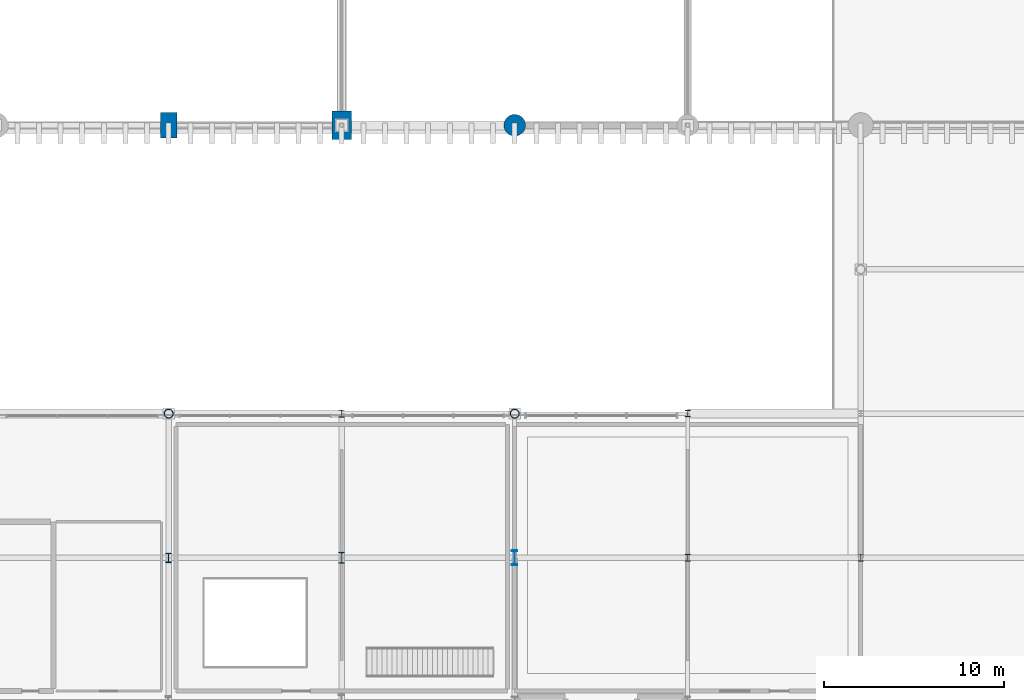
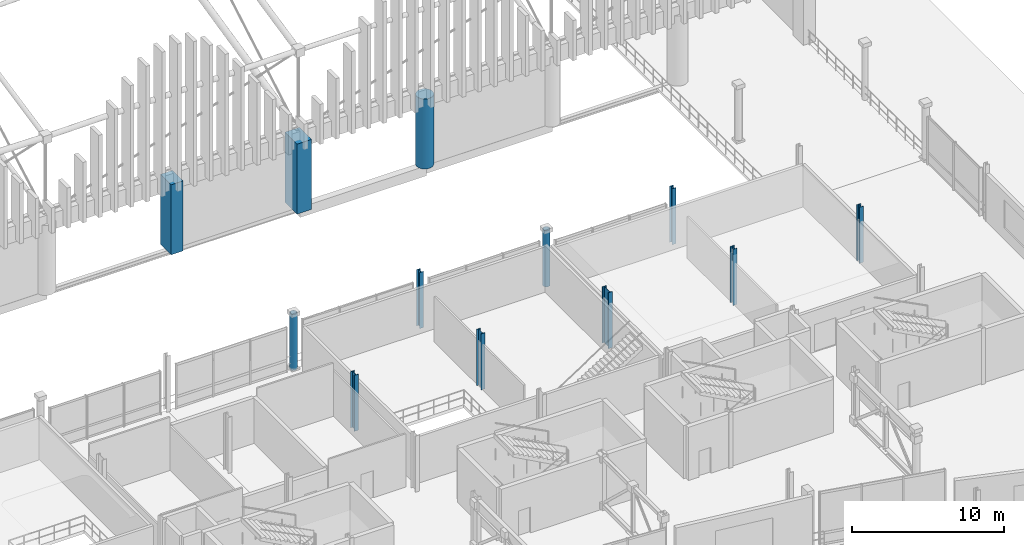
# One storey, part 7 of 193: 12 columns.
"""IFC4 building model written with IfcOpenShell, lengths in metres."""

from ifc_helpers import new_model, si_unit, direction, frame, origin, origin_2d, place, context, subcontext, project, spatial, rectangle, circle, hollow_circle, i_section, extrude, material, material_profile, profile_set, type_object, element, save


model = new_model("IFC4")

# Units and contexts
model_context = context("Model", 3, precision=1e-05, world=origin(), true_north=direction((0.0, 1.0)))
body_context = subcontext(model_context, "Body", "Model", "MODEL_VIEW")
ifc_project = project(units=[si_unit("LENGTHUNIT", "METRE"), si_unit("AREAUNIT", "SQUARE_METRE"), si_unit("VOLUMEUNIT", "CUBIC_METRE"), si_unit("PLANEANGLEUNIT", "RADIAN"), si_unit("MASSUNIT", "GRAM", prefix="KILO")], contexts=[model_context])

# Site, building, storey
site_placement = place(None, origin())
site = spatial("IfcSite", under=ifc_project, at=site_placement, CompositionType="ELEMENT")
building_placement = place(site_placement, origin())
building = spatial("IfcBuilding", under=site, at=building_placement, Name="Danafjord Basin Convention Centre", CompositionType="ELEMENT")
storey_placement = place(building_placement, frame((0.0, 0.0, 11.39990234375)))
storey = spatial("IfcBuildingStorey", under=building, at=storey_placement, Name="L02", CompositionType="ELEMENT", Elevation=11.39990234375)

# Columns
ifc_material_1 = material(Name="Steel S355", Category="steel")
ifc_material_profile_1 = material_profile(ifc_material_1, hollow_circle(Radius=0.25390625, WallThickness=0.02490234375, at=origin_2d()), Name="CHS 508.0x25.0")
ifc_profile_set_1 = profile_set([ifc_material_profile_1], Name="Steel S355")
column_type_1 = type_object("IfcColumnType", Name="COL-C-CHS508", PredefinedType="COLUMN", material=ifc_profile_set_1)
for number, where, z_axis, x_axis, name in (
    (1, (67.199951171875, 40.0, 0.0), (0.0, 0.0, 1.0), (1.0, 0.0, 0.0), "L02 column C-CHS508 at (67.2, 40.0)"),
    (2, (86.39990234375, 40.0, 0.0), (0.0, 0.0, 1.0), (1.0, 0.0, 0.0), "L02 column C-CHS508 at (86.4, 40.0)"),
):
    element("IfcColumn", number, at=place(storey_placement, frame(where, z_axis=z_axis, x_axis=x_axis)), inside=storey, type_object=column_type_1, Name=name, PredefinedType="COLUMN", context=body_context, shape_type="SweptSolid", body=[
        extrude(hollow_circle(Radius=0.25390625, WallThickness=0.02490234375, at=origin_2d()), origin(), (0.0, 0.0, 1.0), 4.5),
    ])
ifc_material_profile_2 = material_profile(ifc_material_1, i_section(OverallWidth=0.300048828125, OverallDepth=0.360107421875, WebThickness=0.012451171875, FlangeThickness=0.0224609375, FilletRadius=0.027099609375, at=origin_2d()), Name="HEB 360")
ifc_profile_set_2 = profile_set([ifc_material_profile_2], Name="Steel S355")
column_type_2 = type_object("IfcColumnType", Name="COL-C-HEB360", PredefinedType="COLUMN", material=ifc_profile_set_2)
for number, where, z_axis, x_axis, name in (
    (3, (96.0, 40.0, 0.0), (0.0, 0.0, 1.0), (1.0, 0.0, 0.0), "L02 column C-HEB360 at (96.0, 40.0)"),
    (4, (105.60009765625, 32.0, 0.0), (0.0, 0.0, 1.0), (1.0, 0.0, 0.0), "L02 column C-HEB360 at (105.6, 32.0)"),
):
    element("IfcColumn", number, at=place(storey_placement, frame(where, z_axis=z_axis, x_axis=x_axis)), inside=storey, type_object=column_type_2, Name=name, PredefinedType="COLUMN", context=body_context, shape_type="SweptSolid", body=[
        extrude(i_section(OverallWidth=0.300048828125, OverallDepth=0.360107421875, WebThickness=0.012451171875, FlangeThickness=0.0224609375, FilletRadius=0.027099609375, at=origin_2d()), origin(), (0.0, 0.0, 1.0), 4.5),
    ])
ifc_material_profile_3 = material_profile(ifc_material_1, i_section(OverallWidth=0.300048828125, OverallDepth=0.39990234375, WebThickness=0.013427734375, FlangeThickness=0.02392578125, FilletRadius=0.027099609375, at=origin_2d()), Name="HEB 400")
ifc_profile_set_3 = profile_set([ifc_material_profile_3], Name="Steel S355")
column_type_3 = type_object("IfcColumnType", Name="COL-C-HEB400", PredefinedType="COLUMN", material=ifc_profile_set_3)
for number, where, z_axis, x_axis, name in (
    (5, (76.800048828125, 40.0, 0.0), (0.0, 0.0, 1.0), (1.0, 0.0, 0.0), "L02 column C-HEB400 at (76.8, 40.0)"),
    (6, (96.0, 32.0, 0.0), (0.0, 0.0, 1.0), (1.0, 0.0, 0.0), "L02 column C-HEB400 at (96.0, 32.0)"),
):
    element("IfcColumn", number, at=place(storey_placement, frame(where, z_axis=z_axis, x_axis=x_axis)), inside=storey, type_object=column_type_3, Name=name, PredefinedType="COLUMN", context=body_context, shape_type="SweptSolid", body=[
        extrude(i_section(OverallWidth=0.300048828125, OverallDepth=0.39990234375, WebThickness=0.013427734375, FlangeThickness=0.02392578125, FilletRadius=0.027099609375, at=origin_2d()), origin(), (0.0, 0.0, 1.0), 4.5),
    ])
ifc_material_profile_4 = material_profile(ifc_material_1, i_section(OverallWidth=0.305908203125, OverallDepth=0.52392578125, WebThickness=0.02099609375, FlangeThickness=0.0400390625, FilletRadius=0.027099609375, at=origin_2d()), Name="HEM 500")
ifc_profile_set_4 = profile_set([ifc_material_profile_4], Name="Steel S355")
column_type_4 = type_object("IfcColumnType", Name="COL-C-HEM500", PredefinedType="COLUMN", material=ifc_profile_set_4)
column_1_placement = place(storey_placement, frame((67.199951171875, 32.0, 0.0), z_axis=(0.0, 0.0, 1.0), x_axis=(1.0, 0.0, 0.0)))
element("IfcColumn", 7, at=column_1_placement, inside=storey, type_object=column_type_4, Name="L02 column C-HEM500 at (67.2, 32.0)", PredefinedType="COLUMN", context=body_context, shape_type="SweptSolid", body=[
    extrude(i_section(OverallWidth=0.305908203125, OverallDepth=0.52392578125, WebThickness=0.02099609375, FlangeThickness=0.0400390625, FilletRadius=0.027099609375, at=origin_2d()), origin(), (0.0, 0.0, 1.0), 4.5),
])
ifc_material_profile_5 = material_profile(ifc_material_1, i_section(OverallWidth=0.304931640625, OverallDepth=0.6201171875, WebThickness=0.02099609375, FlangeThickness=0.0400390625, FilletRadius=0.027099609375, at=origin_2d()), Name="HEM 600")
ifc_profile_set_5 = profile_set([ifc_material_profile_5], Name="Steel S355")
column_type_5 = type_object("IfcColumnType", Name="COL-C-HEM600", PredefinedType="COLUMN", material=ifc_profile_set_5)
column_2_placement = place(storey_placement, frame((76.800048828125, 32.0, 0.0), z_axis=(0.0, 0.0, 1.0), x_axis=(1.0, 0.0, 0.0)))
element("IfcColumn", 8, at=column_2_placement, inside=storey, type_object=column_type_5, Name="L02 column C-HEM600 at (76.8, 32.0)", PredefinedType="COLUMN", context=body_context, shape_type="SweptSolid", body=[
    extrude(i_section(OverallWidth=0.304931640625, OverallDepth=0.6201171875, WebThickness=0.02099609375, FlangeThickness=0.0400390625, FilletRadius=0.027099609375, at=origin_2d()), origin(), (0.0, 0.0, 1.0), 4.5),
])
ifc_material_profile_6 = material_profile(ifc_material_1, i_section(OverallWidth=0.302978515625, OverallDepth=0.81396484375, WebThickness=0.02099609375, FlangeThickness=0.0400390625, FilletRadius=0.030029296875, at=origin_2d()), Name="HEM 800")
ifc_profile_set_6 = profile_set([ifc_material_profile_6], Name="Steel S355")
column_type_6 = type_object("IfcColumnType", Name="COL-C-HEM800", PredefinedType="COLUMN", material=ifc_profile_set_6)
column_3_placement = place(storey_placement, frame((86.39990234375, 32.0, 0.0), z_axis=(0.0, 0.0, 1.0), x_axis=(1.0, 0.0, 0.0)))
element("IfcColumn", 9, at=column_3_placement, inside=storey, type_object=column_type_6, Name="L02 column C-HEM800 at (86.4, 32.0)", PredefinedType="COLUMN", context=body_context, shape_type="SweptSolid", body=[
    extrude(i_section(OverallWidth=0.302978515625, OverallDepth=0.81396484375, WebThickness=0.02099609375, FlangeThickness=0.0400390625, FilletRadius=0.030029296875, at=origin_2d()), origin(), (0.0, 0.0, 1.0), 4.5),
])
ifc_material_2 = material(Name="Concrete C50/60", Category="concrete")
ifc_material_profile_7 = material_profile(ifc_material_2, rectangle(XDim=0.89990234375, YDim=1.39990234375, at=origin_2d()), Name="RC 1400x900")
ifc_profile_set_7 = profile_set([ifc_material_profile_7], Name="Concrete C50/60")
column_type_7 = type_object("IfcColumnType", Name="COL-C-RC1400", PredefinedType="COLUMN", material=ifc_profile_set_7)
column_4_placement = place(storey_placement, frame((67.199951171875, 56.0, 0.0), z_axis=(0.0, 0.0, 1.0), x_axis=(1.0, 0.0, 0.0)))
element("IfcColumn", 10, at=column_4_placement, inside=storey, type_object=column_type_7, Name="L02 column C-RC1400 at (67.2, 56.0)", PredefinedType="COLUMN", context=body_context, shape_type="SweptSolid", body=[
    extrude(rectangle(XDim=0.89990234375, YDim=1.39990234375, at=origin_2d()), origin(), (0.0, 0.0, 1.0), 5.6201171875),
])
ifc_material_profile_8 = material_profile(ifc_material_2, rectangle(XDim=1.10009765625, YDim=1.60009765625, at=origin_2d()), Name="RC 1600x1100")
ifc_profile_set_8 = profile_set([ifc_material_profile_8], Name="Concrete C50/60")
column_type_8 = type_object("IfcColumnType", Name="COL-C-RC1600", PredefinedType="COLUMN", material=ifc_profile_set_8)
column_5_placement = place(storey_placement, frame((76.800048828125, 56.0, 0.0), z_axis=(0.0, 0.0, 1.0), x_axis=(1.0, 0.0, 0.0)))
element("IfcColumn", 11, at=column_5_placement, inside=storey, type_object=column_type_8, Name="L02 column C-RC1600 at (76.8, 56.0)", PredefinedType="COLUMN", context=body_context, shape_type="SweptSolid", body=[
    extrude(rectangle(XDim=1.10009765625, YDim=1.60009765625, at=origin_2d()), origin(), (0.0, 0.0, 1.0), 5.6201171875),
])
ifc_material_profile_9 = material_profile(ifc_material_2, circle(Radius=0.60009765625, at=origin_2d()), Name="RC D1200")
ifc_profile_set_9 = profile_set([ifc_material_profile_9], Name="Concrete C50/60")
column_type_9 = type_object("IfcColumnType", Name="COL-C-RCD1200", PredefinedType="COLUMN", material=ifc_profile_set_9)
column_6_placement = place(storey_placement, frame((86.39990234375, 56.0, 0.0), z_axis=(0.0, 0.0, 1.0), x_axis=(1.0, 0.0, 0.0)))
element("IfcColumn", 12, at=column_6_placement, inside=storey, type_object=column_type_9, Name="L02 column C-RCD1200 at (86.4, 56.0)", PredefinedType="COLUMN", context=body_context, shape_type="SweptSolid", body=[
    extrude(circle(Radius=0.60009765625, at=origin_2d()), origin(), (0.0, 0.0, 1.0), 5.6201171875),
])

save(model, "model.ifc")
